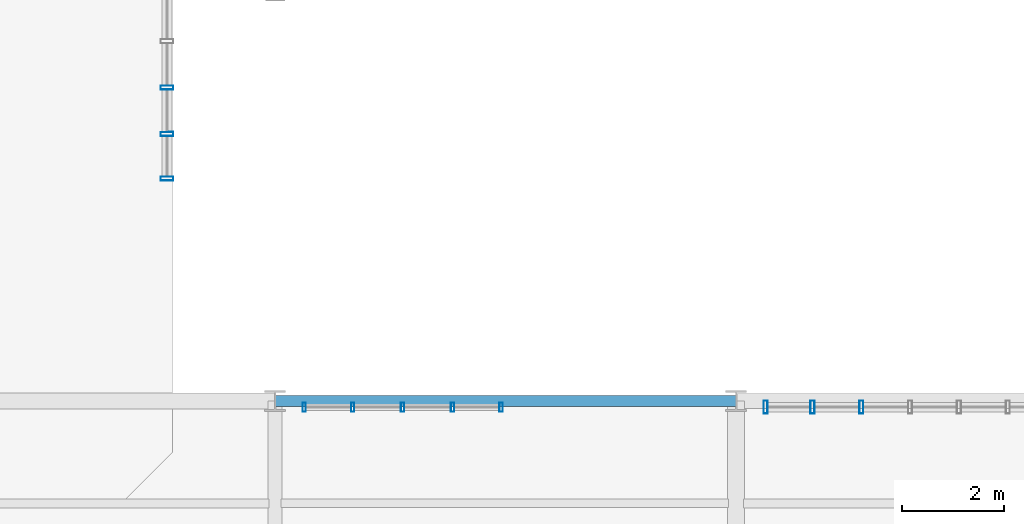
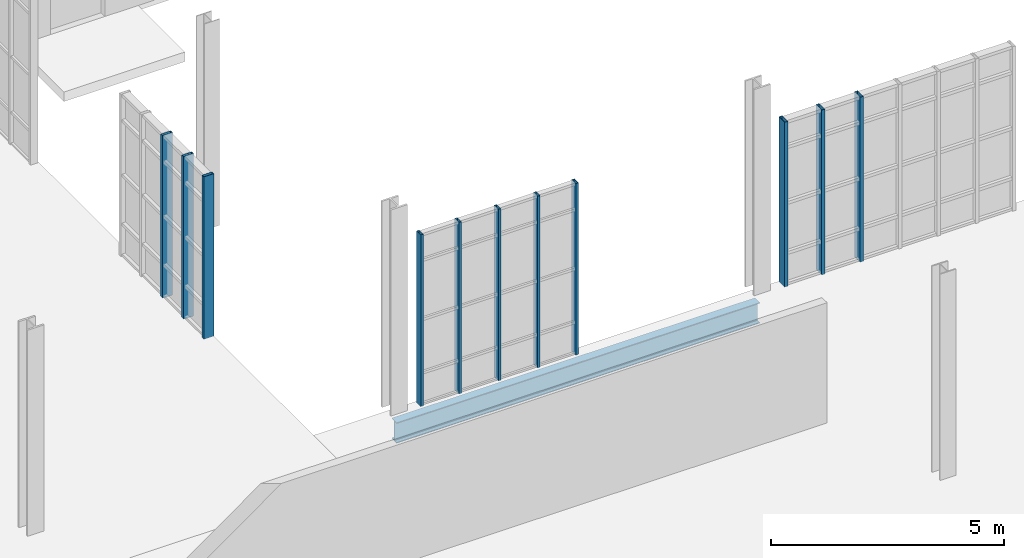
# One storey, part 35 of 189: 11 members, 1 beam, 3 elements without a shape of their own.
"""IFC4 building model written with IfcOpenShell, lengths in metres."""

from ifc_helpers import new_model, si_unit, direction, frame, origin, origin_2d, place, context, subcontext, project, spatial, hollow_rectangle, i_section, extrude, material, layer, layer_set, material_profile, profile_set, type_object, element, aggregate, save


model = new_model("IFC4")

# Units and contexts
model_context = context("Model", 3, precision=1e-05, world=origin(), true_north=direction((0.0, 1.0)))
body_context = subcontext(model_context, "Body", "Model", "MODEL_VIEW")
ifc_project = project(units=[si_unit("LENGTHUNIT", "METRE"), si_unit("AREAUNIT", "SQUARE_METRE"), si_unit("VOLUMEUNIT", "CUBIC_METRE"), si_unit("PLANEANGLEUNIT", "RADIAN"), si_unit("MASSUNIT", "GRAM", prefix="KILO"), si_unit("THERMODYNAMICTEMPERATUREUNIT", "KELVIN"), si_unit("POWERUNIT", "WATT")], contexts=[model_context])

# Site, building, storey
site_placement = place(None, origin())
site = spatial("IfcSite", under=ifc_project, at=site_placement, CompositionType="ELEMENT")
building_placement = place(site_placement, origin())
building = spatial("IfcBuilding", under=site, at=building_placement, Name="Zelmaris Science Centre", CompositionType="ELEMENT")
storey_placement = place(building_placement, origin())
storey = spatial("IfcBuildingStorey", under=building, at=storey_placement, Name="L00", CompositionType="ELEMENT", Elevation=0.0)

# Curtain wall, members
ifc_material_1 = material(Name="Anodised architectural aluminium 6063-T6", Category="aluminium")
ifc_layer_1 = layer(ifc_material_1, 0.2099609375, Name="Anodised architectural aluminium 6063-T6")
ifc_layer_set_1 = layer_set([ifc_layer_1], Name="Anodised architectural aluminium 6063-T6")
curtain_wall_type_1 = type_object("IfcCurtainWallType", Name="Curtain Wall CW-03", PredefinedType="USERDEFINED", material=ifc_layer_set_1)
curtain_wall_1_placement = place(storey_placement, origin())
curtain_wall_1 = element("IfcCurtainWall", 1, at=curtain_wall_1_placement, inside=storey, type_object=curtain_wall_type_1, Name="L00 Unitised curtain wall 43", ObjectType="GLAZED CURTAIN WALL", PredefinedType="USERDEFINED")
ifc_material_profile_1 = material_profile(ifc_material_1, hollow_rectangle(XDim=0.06494140625, YDim=0.179931640625, WallThickness=0.00390625, at=origin_2d()), Name="ALU-MUL-65X180")
ifc_profile_set_1 = profile_set([ifc_material_profile_1], Name="Anodised architectural aluminium 6063-T6")
member_type_1 = type_object("IfcMemberType", Name="ALU-MUL-65X180", PredefinedType="MULLION", material=ifc_profile_set_1)
member_1_placement = place(storey_placement, frame((36.568603515625, 39.8798828125, -0.014892578125), z_axis=(0.0, 0.0, 1.0), x_axis=(0.999999999994, -3.490659e-06, 0.0)))
member_1 = element("IfcMember", 2, at=member_1_placement, type_object=member_type_1, Name="CW-03 mullion 1", PredefinedType="MULLION", context=body_context, shape_type="SweptSolid", body=[
    extrude(hollow_rectangle(XDim=0.06494140625, YDim=0.179931640625, WallThickness=0.00390625, at=origin_2d()), origin(), (0.0, 0.0, 1.0), 4.5009765625),
])
member_2_placement = place(storey_placement, frame((37.514892578125, 39.8798828125, -0.014892578125), z_axis=(0.0, 0.0, 1.0), x_axis=(0.999999999994, -3.490659e-06, 0.0)))
member_2 = element("IfcMember", 3, at=member_2_placement, type_object=member_type_1, Name="CW-03 mullion 2", PredefinedType="MULLION", context=body_context, shape_type="SweptSolid", body=[
    extrude(hollow_rectangle(XDim=0.06494140625, YDim=0.179931640625, WallThickness=0.00390625, at=origin_2d()), origin(), (0.0, 0.0, 1.0), 4.5009765625),
])
member_3_placement = place(storey_placement, frame((38.489990234375, 39.8798828125, -0.014892578125), z_axis=(0.0, 0.0, 1.0), x_axis=(0.999999999994, -3.490659e-06, 0.0)))
member_3 = element("IfcMember", 4, at=member_3_placement, type_object=member_type_1, Name="CW-03 mullion 3", PredefinedType="MULLION", context=body_context, shape_type="SweptSolid", body=[
    extrude(hollow_rectangle(XDim=0.06494140625, YDim=0.179931640625, WallThickness=0.00390625, at=origin_2d()), origin(), (0.0, 0.0, 1.0), 4.5009765625),
])
member_4_placement = place(storey_placement, frame((39.465087890625, 39.8798828125, -0.014892578125), z_axis=(0.0, 0.0, 1.0), x_axis=(0.999999999994, -3.490659e-06, 0.0)))
member_4 = element("IfcMember", 5, at=member_4_placement, type_object=member_type_1, Name="CW-03 mullion 4", PredefinedType="MULLION", context=body_context, shape_type="SweptSolid", body=[
    extrude(hollow_rectangle(XDim=0.06494140625, YDim=0.179931640625, WallThickness=0.00390625, at=origin_2d()), origin(), (0.0, 0.0, 1.0), 4.5009765625),
])
member_5_placement = place(storey_placement, frame((40.41162109375, 39.8798828125, -0.014892578125), z_axis=(0.0, 0.0, 1.0), x_axis=(0.999999999994, -3.490659e-06, 0.0)))
member_5 = element("IfcMember", 6, at=member_5_placement, type_object=member_type_1, Name="CW-03 mullion 5", PredefinedType="MULLION", context=body_context, shape_type="SweptSolid", body=[
    extrude(hollow_rectangle(XDim=0.06494140625, YDim=0.179931640625, WallThickness=0.00390625, at=origin_2d()), origin(), (0.0, 0.0, 1.0), 4.5009765625),
])
aggregate(curtain_wall_1, [member_1, member_2, member_3, member_4, member_5])

ifc_layer_2 = layer(ifc_material_1, 0.18994140625, Name="Anodised architectural aluminium 6063-T6")
ifc_layer_set_2 = layer_set([ifc_layer_2], Name="Anodised architectural aluminium 6063-T6")
curtain_wall_type_2 = type_object("IfcCurtainWallType", Name="Curtain Wall CW-01", PredefinedType="USERDEFINED", material=ifc_layer_set_2)
curtain_wall_2_placement = place(storey_placement, origin())
curtain_wall_2 = element("IfcCurtainWall", 7, at=curtain_wall_2_placement, inside=storey, type_object=curtain_wall_type_2, Name="L00 Unitised curtain wall 41", ObjectType="GLAZED CURTAIN WALL", PredefinedType="USERDEFINED")
ifc_material_profile_2 = material_profile(ifc_material_1, hollow_rectangle(XDim=0.080078125, YDim=0.25, WallThickness=0.0048828125, at=origin_2d()), Name="ALU-MUL-80X250")
ifc_profile_set_2 = profile_set([ifc_material_profile_2], Name="Anodised architectural aluminium 6063-T6")
member_type_2 = type_object("IfcMemberType", Name="ALU-MUL-80X250", PredefinedType="MULLION", material=ifc_profile_set_2)
member_6_placement = place(storey_placement, frame((33.889404296875, 46.11767578125, -0.014892578125), z_axis=(0.0, 0.0, 1.0), x_axis=(0.000692895658, -0.999999759948, 0.0)))
member_6 = element("IfcMember", 8, at=member_6_placement, type_object=member_type_2, Name="CW-01 mullion 3", PredefinedType="MULLION", context=body_context, shape_type="SweptSolid", body=[
    extrude(hollow_rectangle(XDim=0.080078125, YDim=0.25, WallThickness=0.0048828125, at=origin_2d()), origin(), (0.0, 0.0, 1.0), 4.2587890625),
])
member_7_placement = place(storey_placement, frame((33.89013671875, 45.211669921875, -0.014892578125), z_axis=(0.0, 0.0, 1.0), x_axis=(0.000692895658, -0.999999759948, 0.0)))
member_7 = element("IfcMember", 9, at=member_7_placement, type_object=member_type_2, Name="CW-01 mullion 4", PredefinedType="MULLION", context=body_context, shape_type="SweptSolid", body=[
    extrude(hollow_rectangle(XDim=0.080078125, YDim=0.25, WallThickness=0.0048828125, at=origin_2d()), origin(), (0.0, 0.0, 1.0), 4.2587890625),
])
member_8_placement = place(storey_placement, frame((33.890625, 44.341796875, -0.014892578125), z_axis=(0.0, 0.0, 1.0), x_axis=(0.000692895658, -0.999999759948, 0.0)))
member_8 = element("IfcMember", 10, at=member_8_placement, type_object=member_type_2, Name="CW-01 mullion 5", PredefinedType="MULLION", context=body_context, shape_type="SweptSolid", body=[
    extrude(hollow_rectangle(XDim=0.080078125, YDim=0.25, WallThickness=0.0048828125, at=origin_2d()), origin(), (0.0, 0.0, 1.0), 4.2587890625),
])
aggregate(curtain_wall_2, [member_6, member_7, member_8])

curtain_wall_3_placement = place(storey_placement, origin())
curtain_wall_3 = element("IfcCurtainWall", 11, at=curtain_wall_3_placement, inside=storey, type_object=curtain_wall_type_2, Name="L00 Unitised curtain wall 45", ObjectType="GLAZED CURTAIN WALL", PredefinedType="USERDEFINED")
member_9_placement = place(storey_placement, frame((45.575927734375, 39.8798828125, -0.014892578125), z_axis=(0.0, 0.0, 1.0), x_axis=(0.999999999994, -3.490659e-06, 0.0)))
member_9 = element("IfcMember", 12, at=member_9_placement, type_object=member_type_2, Name="CW-01 mullion 1", PredefinedType="MULLION", context=body_context, shape_type="SweptSolid", body=[
    extrude(hollow_rectangle(XDim=0.080078125, YDim=0.25, WallThickness=0.0048828125, at=origin_2d()), origin(), (0.0, 0.0, 1.0), 4.322998046875),
])
member_10_placement = place(storey_placement, frame((46.493408203125, 39.8798828125, -0.014892578125), z_axis=(0.0, 0.0, 1.0), x_axis=(0.999999999994, -3.490659e-06, 0.0)))
member_10 = element("IfcMember", 13, at=member_10_placement, type_object=member_type_2, Name="CW-01 mullion 2", PredefinedType="MULLION", context=body_context, shape_type="SweptSolid", body=[
    extrude(hollow_rectangle(XDim=0.080078125, YDim=0.25, WallThickness=0.0048828125, at=origin_2d()), origin(), (0.0, 0.0, 1.0), 4.322998046875),
])
member_11_placement = place(storey_placement, frame((47.44677734375, 39.8798828125, -0.014892578125), z_axis=(0.0, 0.0, 1.0), x_axis=(0.999999999994, -3.490659e-06, 0.0)))
member_11 = element("IfcMember", 14, at=member_11_placement, type_object=member_type_2, Name="CW-01 mullion 3", PredefinedType="MULLION", context=body_context, shape_type="SweptSolid", body=[
    extrude(hollow_rectangle(XDim=0.080078125, YDim=0.25, WallThickness=0.0048828125, at=origin_2d()), origin(), (0.0, 0.0, 1.0), 4.322998046875),
])
aggregate(curtain_wall_3, [member_9, member_10, member_11])

# Beam
ifc_material_2 = material(Name="Steel ASTM A992 Grade 50", Category="steel")
ifc_material_profile_3 = material_profile(ifc_material_2, i_section(OverallWidth=0.2109375, OverallDepth=0.5380859375, WebThickness=0.01171875, FlangeThickness=0.018798828125, FilletRadius=0.013916015625, at=origin_2d()), Name="W21X73")
ifc_profile_set_3 = profile_set([ifc_material_profile_3], Name="Steel ASTM A992 Grade 50")
beam_type = type_object("IfcBeamType", Name="Beam G-19 W21X73", PredefinedType="BEAM", material=ifc_profile_set_3)
beam_placement = place(storey_placement, frame((36.0, 40.0, -0.5791015625), z_axis=(1.0, 0.0, 0.0), x_axis=(0.0, 1.0, 0.0)))
element("IfcBeam", 15, at=beam_placement, inside=storey, type_object=beam_type, Name="L00 East-west girder 136", PredefinedType="BEAM", context=body_context, shape_type="SweptSolid", body=[
    extrude(i_section(OverallWidth=0.2109375, OverallDepth=0.5380859375, WebThickness=0.01171875, FlangeThickness=0.018798828125, FilletRadius=0.013916015625, at=origin_2d()), origin(), (0.0, 0.0, 1.0), 9.0),
])

save(model, "model.ifc")
